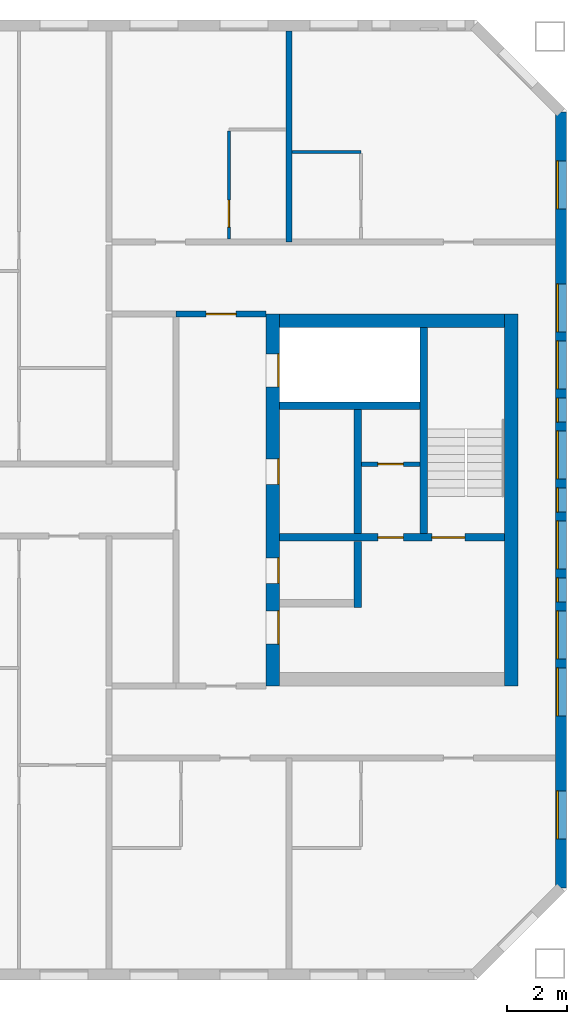
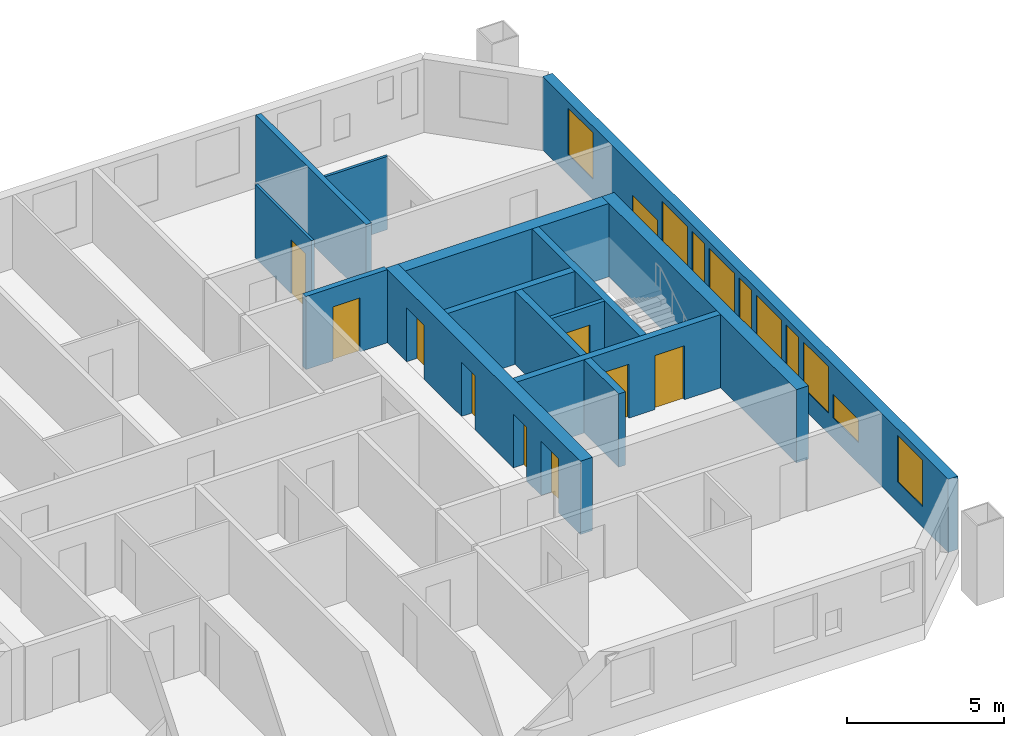
# One storey, part 13 of 16: 14 walls, 11 windows, 9 doors, 20 openings.
"""IFC4 building model written with IfcOpenShell, lengths in metres."""

from ifc_helpers import new_model, si_unit, direction, frame, frame_2d, origin, place, context, subcontext, project, spatial, rectangle, extrude, material, layer, layer_set, type_object, element, fill, save


model = new_model("IFC4")

# Units and contexts
model_context = context("Model", 3, precision=1e-05, world=origin(), true_north=direction((0.0, 1.0)))
body_context = subcontext(model_context, "Body", "Model", "MODEL_VIEW")
ifc_project = project(units=[si_unit("LENGTHUNIT", "METRE"), si_unit("AREAUNIT", "SQUARE_METRE"), si_unit("VOLUMEUNIT", "CUBIC_METRE"), si_unit("PLANEANGLEUNIT", "RADIAN"), si_unit("MASSUNIT", "GRAM", prefix="KILO")], contexts=[model_context])

# Site, building, storey
site_placement = place(None, origin())
site = spatial("IfcSite", under=ifc_project, at=site_placement, CompositionType="ELEMENT")
building_placement = place(site_placement, origin())
building = spatial("IfcBuilding", under=site, at=building_placement, Name="Tuart Gate Housing", CompositionType="ELEMENT")
storey_placement = place(building_placement, frame((0.0, 0.0, 175.800048828125)))
storey = spatial("IfcBuildingStorey", under=building, at=storey_placement, Name="L49", CompositionType="ELEMENT", Elevation=175.800048828125)

# Wall, openings, windows
ifc_material_1 = material(Name="Brick", Category="masonry")
ifc_layer_1 = layer(ifc_material_1, 0.360107421875)
ifc_layer_set_1 = layer_set([ifc_layer_1], Name="Brick pier and spandrel wall 360")
wall_type_1 = type_object("IfcWallType", Name="Brick pier and spandrel wall 360", PredefinedType="STANDARD", material=ifc_layer_set_1)
wall_1_placement = place(storey_placement, frame((170.070068359375, 57.07470703125, 0.0), z_axis=(0.0, 0.0, 1.0), x_axis=(0.0, 1.0, 0.0)))
wall_1 = element("IfcWall", 1, at=wall_1_placement, inside=storey, type_object=wall_type_1, Name="External wall B-E L49", PredefinedType="STANDARD", context=body_context, shape_type="SweptSolid", body=[
    extrude(rectangle(XDim=25.850830078125, YDim=0.360107421875, at=frame_2d((12.92529296875, 0.0))), origin(), (0.0, 0.0, 1.0), 2.849853515625),
])
opening_1_placement = place(wall_1_placement, frame((1.62548828125, 0.0, 0.800048828125)))
opening_1 = element("IfcOpeningElement", 2, at=opening_1_placement, cuts=wall_1, Name="Opening W1", PredefinedType="OPENING", context=body_context, shape_type="SweptSolid", body=[
    extrude(rectangle(XDim=1.60009765625, YDim=1.800048828125, at=frame_2d((0.800048828125, 0.89990234375))), frame((0.0, 0.18994140625, 0.0), z_axis=(0.0, -1.0, 0.0), x_axis=(1.0, 0.0, 0.0)), (0.0, 0.0, 1.0), 0.380126953125),
])
opening_2_placement = place(wall_1_placement, frame((5.725341796875, 0.0, 0.800048828125)))
opening_2 = element("IfcOpeningElement", 3, at=opening_2_placement, cuts=wall_1, Name="Opening W1R", PredefinedType="OPENING", context=body_context, shape_type="SweptSolid", body=[
    extrude(rectangle(XDim=1.60009765625, YDim=0.89990234375, at=frame_2d((0.800048828125, 0.449951171875))), frame((0.0, 0.18994140625, 0.0), z_axis=(0.0, -1.0, 0.0), x_axis=(1.0, 0.0, 0.0)), (0.0, 0.0, 1.0), 0.380126953125),
])
opening_3_placement = place(wall_1_placement, frame((7.62548828125, 0.0, 0.800048828125)))
opening_3 = element("IfcOpeningElement", 4, at=opening_3_placement, cuts=wall_1, Name="Opening W1", PredefinedType="OPENING", context=body_context, shape_type="SweptSolid", body=[
    extrude(rectangle(XDim=1.60009765625, YDim=1.800048828125, at=frame_2d((0.800048828125, 0.89990234375))), frame((0.0, 0.18994140625, 0.0), z_axis=(0.0, -1.0, 0.0), x_axis=(1.0, 0.0, 0.0)), (0.0, 0.0, 1.0), 0.380126953125),
])
opening_4_placement = place(wall_1_placement, frame((10.62548828125, 0.0, 0.800048828125)))
opening_4 = element("IfcOpeningElement", 5, at=opening_4_placement, cuts=wall_1, Name="Opening W1", PredefinedType="OPENING", context=body_context, shape_type="SweptSolid", body=[
    extrude(rectangle(XDim=1.60009765625, YDim=1.800048828125, at=frame_2d((0.800048828125, 0.89990234375))), frame((0.0, 0.18994140625, 0.0), z_axis=(0.0, -1.0, 0.0), x_axis=(1.0, 0.0, 0.0)), (0.0, 0.0, 1.0), 0.380126953125),
])
opening_5_placement = place(wall_1_placement, frame((13.62548828125, 0.0, 0.800048828125)))
opening_5 = element("IfcOpeningElement", 6, at=opening_5_placement, cuts=wall_1, Name="Opening W1", PredefinedType="OPENING", context=body_context, shape_type="SweptSolid", body=[
    extrude(rectangle(XDim=1.60009765625, YDim=1.800048828125, at=frame_2d((0.800048828125, 0.89990234375))), frame((0.0, 0.18994140625, 0.0), z_axis=(0.0, -1.0, 0.0), x_axis=(1.0, 0.0, 0.0)), (0.0, 0.0, 1.0), 0.380126953125),
])
opening_6_placement = place(wall_1_placement, frame((16.62548828125, 0.0, 0.800048828125)))
opening_6 = element("IfcOpeningElement", 7, at=opening_6_placement, cuts=wall_1, Name="Opening W1", PredefinedType="OPENING", context=body_context, shape_type="SweptSolid", body=[
    extrude(rectangle(XDim=1.60009765625, YDim=1.800048828125, at=frame_2d((0.800048828125, 0.89990234375))), frame((0.0, 0.18994140625, 0.0), z_axis=(0.0, -1.0, 0.0), x_axis=(1.0, 0.0, 0.0)), (0.0, 0.0, 1.0), 0.380126953125),
])
opening_7_placement = place(wall_1_placement, frame((9.525390625, 0.0, 0.800048828125)))
opening_7 = element("IfcOpeningElement", 8, at=opening_7_placement, cuts=wall_1, Name="Opening W1D", PredefinedType="OPENING", context=body_context, shape_type="SweptSolid", body=[
    extrude(rectangle(XDim=0.800048828125, YDim=1.800048828125, at=frame_2d((0.39990234375, 0.89990234375))), frame((0.0, 0.18994140625, 0.0), z_axis=(0.0, -1.0, 0.0), x_axis=(1.0, 0.0, 0.0)), (0.0, 0.0, 1.0), 0.380126953125),
])
opening_8_placement = place(wall_1_placement, frame((22.62548828125, 0.0, 0.800048828125)))
opening_8 = element("IfcOpeningElement", 9, at=opening_8_placement, cuts=wall_1, Name="Opening W1", PredefinedType="OPENING", context=body_context, shape_type="SweptSolid", body=[
    extrude(rectangle(XDim=1.60009765625, YDim=1.800048828125, at=frame_2d((0.800048828125, 0.89990234375))), frame((0.0, 0.18994140625, 0.0), z_axis=(0.0, -1.0, 0.0), x_axis=(1.0, 0.0, 0.0)), (0.0, 0.0, 1.0), 0.380126953125),
])
opening_9_placement = place(wall_1_placement, frame((12.525390625, 0.0, 0.800048828125)))
opening_9 = element("IfcOpeningElement", 10, at=opening_9_placement, cuts=wall_1, Name="Opening W1D", PredefinedType="OPENING", context=body_context, shape_type="SweptSolid", body=[
    extrude(rectangle(XDim=0.800048828125, YDim=1.800048828125, at=frame_2d((0.39990234375, 0.89990234375))), frame((0.0, 0.18994140625, 0.0), z_axis=(0.0, -1.0, 0.0), x_axis=(1.0, 0.0, 0.0)), (0.0, 0.0, 1.0), 0.380126953125),
])
opening_10_placement = place(wall_1_placement, frame((15.525390625, 0.0, 0.800048828125)))
opening_10 = element("IfcOpeningElement", 11, at=opening_10_placement, cuts=wall_1, Name="Opening W1D", PredefinedType="OPENING", context=body_context, shape_type="SweptSolid", body=[
    extrude(rectangle(XDim=0.800048828125, YDim=1.800048828125, at=frame_2d((0.39990234375, 0.89990234375))), frame((0.0, 0.18994140625, 0.0), z_axis=(0.0, -1.0, 0.0), x_axis=(1.0, 0.0, 0.0)), (0.0, 0.0, 1.0), 0.380126953125),
])
opening_11_placement = place(wall_1_placement, frame((18.525390625, 0.0, 0.800048828125)))
opening_11 = element("IfcOpeningElement", 12, at=opening_11_placement, cuts=wall_1, Name="Opening W1R", PredefinedType="OPENING", context=body_context, shape_type="SweptSolid", body=[
    extrude(rectangle(XDim=1.60009765625, YDim=0.89990234375, at=frame_2d((0.800048828125, 0.449951171875))), frame((0.0, 0.18994140625, 0.0), z_axis=(0.0, -1.0, 0.0), x_axis=(1.0, 0.0, 0.0)), (0.0, 0.0, 1.0), 0.380126953125),
])
ifc_material_2 = material(Name="Aluminium frame with clear glass", Category="aluminium")
window_type_1 = type_object("IfcWindowType", Name="Punched window 1600 x 1800", PartitioningType="SINGLE_PANEL", PredefinedType="WINDOW", material=ifc_material_2)
window_1_placement = place(opening_1_placement, origin())
window_1 = element("IfcWindow", 13, at=window_1_placement, inside=storey, type_object=window_type_1, Name="Window W1", OverallHeight=1.800048828125, OverallWidth=1.60009765625, PartitioningType="SINGLE_PANEL", PredefinedType="WINDOW", context=body_context, shape_type="SweptSolid", body=[
    extrude(rectangle(XDim=1.60009765625, YDim=1.800048828125, at=frame_2d((0.800048828125, 0.89990234375))), frame((0.0, 0.150146484375, 0.0), z_axis=(0.0, -1.0, 0.0), x_axis=(1.0, 0.0, 0.0)), (0.0, 0.0, 1.0), 0.06005859375),
])
fill(opening_1, window_1)
window_2_placement = place(opening_3_placement, origin())
window_2 = element("IfcWindow", 14, at=window_2_placement, inside=storey, type_object=window_type_1, Name="Window W1", OverallHeight=1.800048828125, OverallWidth=1.60009765625, PartitioningType="SINGLE_PANEL", PredefinedType="WINDOW", context=body_context, shape_type="SweptSolid", body=[
    extrude(rectangle(XDim=1.60009765625, YDim=1.800048828125, at=frame_2d((0.800048828125, 0.89990234375))), frame((0.0, 0.150146484375, 0.0), z_axis=(0.0, -1.0, 0.0), x_axis=(1.0, 0.0, 0.0)), (0.0, 0.0, 1.0), 0.06005859375),
])
fill(opening_3, window_2)
window_3_placement = place(opening_4_placement, origin())
window_3 = element("IfcWindow", 15, at=window_3_placement, inside=storey, type_object=window_type_1, Name="Window W1", OverallHeight=1.800048828125, OverallWidth=1.60009765625, PartitioningType="SINGLE_PANEL", PredefinedType="WINDOW", context=body_context, shape_type="SweptSolid", body=[
    extrude(rectangle(XDim=1.60009765625, YDim=1.800048828125, at=frame_2d((0.800048828125, 0.89990234375))), frame((0.0, 0.150146484375, 0.0), z_axis=(0.0, -1.0, 0.0), x_axis=(1.0, 0.0, 0.0)), (0.0, 0.0, 1.0), 0.06005859375),
])
fill(opening_4, window_3)
window_4_placement = place(opening_5_placement, origin())
window_4 = element("IfcWindow", 16, at=window_4_placement, inside=storey, type_object=window_type_1, Name="Window W1", OverallHeight=1.800048828125, OverallWidth=1.60009765625, PartitioningType="SINGLE_PANEL", PredefinedType="WINDOW", context=body_context, shape_type="SweptSolid", body=[
    extrude(rectangle(XDim=1.60009765625, YDim=1.800048828125, at=frame_2d((0.800048828125, 0.89990234375))), frame((0.0, 0.150146484375, 0.0), z_axis=(0.0, -1.0, 0.0), x_axis=(1.0, 0.0, 0.0)), (0.0, 0.0, 1.0), 0.06005859375),
])
fill(opening_5, window_4)
window_5_placement = place(opening_6_placement, origin())
window_5 = element("IfcWindow", 17, at=window_5_placement, inside=storey, type_object=window_type_1, Name="Window W1", OverallHeight=1.800048828125, OverallWidth=1.60009765625, PartitioningType="SINGLE_PANEL", PredefinedType="WINDOW", context=body_context, shape_type="SweptSolid", body=[
    extrude(rectangle(XDim=1.60009765625, YDim=1.800048828125, at=frame_2d((0.800048828125, 0.89990234375))), frame((0.0, 0.150146484375, 0.0), z_axis=(0.0, -1.0, 0.0), x_axis=(1.0, 0.0, 0.0)), (0.0, 0.0, 1.0), 0.06005859375),
])
fill(opening_6, window_5)
window_6_placement = place(opening_8_placement, origin())
window_6 = element("IfcWindow", 18, at=window_6_placement, inside=storey, type_object=window_type_1, Name="Window W1", OverallHeight=1.800048828125, OverallWidth=1.60009765625, PartitioningType="SINGLE_PANEL", PredefinedType="WINDOW", context=body_context, shape_type="SweptSolid", body=[
    extrude(rectangle(XDim=1.60009765625, YDim=1.800048828125, at=frame_2d((0.800048828125, 0.89990234375))), frame((0.0, 0.150146484375, 0.0), z_axis=(0.0, -1.0, 0.0), x_axis=(1.0, 0.0, 0.0)), (0.0, 0.0, 1.0), 0.06005859375),
])
fill(opening_8, window_6)
ifc_material_3 = material(Name="Aluminium frame with clear glass", Category="aluminium")
window_type_2 = type_object("IfcWindowType", Name="Punched window 1600 x 900", PartitioningType="SINGLE_PANEL", PredefinedType="WINDOW", material=ifc_material_3)
window_7_placement = place(opening_2_placement, origin())
window_7 = element("IfcWindow", 19, at=window_7_placement, inside=storey, type_object=window_type_2, Name="Window W1R", OverallHeight=0.89990234375, OverallWidth=1.60009765625, PartitioningType="SINGLE_PANEL", PredefinedType="WINDOW", context=body_context, shape_type="SweptSolid", body=[
    extrude(rectangle(XDim=1.60009765625, YDim=0.89990234375, at=frame_2d((0.800048828125, 0.449951171875))), frame((0.0, 0.150146484375, 0.0), z_axis=(0.0, -1.0, 0.0), x_axis=(1.0, 0.0, 0.0)), (0.0, 0.0, 1.0), 0.06005859375),
])
fill(opening_2, window_7)
window_8_placement = place(opening_11_placement, origin())
window_8 = element("IfcWindow", 20, at=window_8_placement, inside=storey, type_object=window_type_2, Name="Window W1R", OverallHeight=0.89990234375, OverallWidth=1.60009765625, PartitioningType="SINGLE_PANEL", PredefinedType="WINDOW", context=body_context, shape_type="SweptSolid", body=[
    extrude(rectangle(XDim=1.60009765625, YDim=0.89990234375, at=frame_2d((0.800048828125, 0.449951171875))), frame((0.0, 0.150146484375, 0.0), z_axis=(0.0, -1.0, 0.0), x_axis=(1.0, 0.0, 0.0)), (0.0, 0.0, 1.0), 0.06005859375),
])
fill(opening_11, window_8)
ifc_material_4 = material(Name="Aluminium frame with clear glass", Category="aluminium")
window_type_3 = type_object("IfcWindowType", Name="Punched window 800 x 1800", PartitioningType="SINGLE_PANEL", PredefinedType="WINDOW", material=ifc_material_4)
window_9_placement = place(opening_7_placement, origin())
window_9 = element("IfcWindow", 21, at=window_9_placement, inside=storey, type_object=window_type_3, Name="Window W1D", OverallHeight=1.800048828125, OverallWidth=0.800048828125, PartitioningType="SINGLE_PANEL", PredefinedType="WINDOW", context=body_context, shape_type="SweptSolid", body=[
    extrude(rectangle(XDim=0.800048828125, YDim=1.800048828125, at=frame_2d((0.39990234375, 0.89990234375))), frame((0.0, 0.150146484375, 0.0), z_axis=(0.0, -1.0, 0.0), x_axis=(1.0, 0.0, 0.0)), (0.0, 0.0, 1.0), 0.06005859375),
])
fill(opening_7, window_9)
window_10_placement = place(opening_9_placement, origin())
window_10 = element("IfcWindow", 22, at=window_10_placement, inside=storey, type_object=window_type_3, Name="Window W1D", OverallHeight=1.800048828125, OverallWidth=0.800048828125, PartitioningType="SINGLE_PANEL", PredefinedType="WINDOW", context=body_context, shape_type="SweptSolid", body=[
    extrude(rectangle(XDim=0.800048828125, YDim=1.800048828125, at=frame_2d((0.39990234375, 0.89990234375))), frame((0.0, 0.150146484375, 0.0), z_axis=(0.0, -1.0, 0.0), x_axis=(1.0, 0.0, 0.0)), (0.0, 0.0, 1.0), 0.06005859375),
])
fill(opening_9, window_10)
window_11_placement = place(opening_10_placement, origin())
window_11 = element("IfcWindow", 23, at=window_11_placement, inside=storey, type_object=window_type_3, Name="Window W1D", OverallHeight=1.800048828125, OverallWidth=0.800048828125, PartitioningType="SINGLE_PANEL", PredefinedType="WINDOW", context=body_context, shape_type="SweptSolid", body=[
    extrude(rectangle(XDim=0.800048828125, YDim=1.800048828125, at=frame_2d((0.39990234375, 0.89990234375))), frame((0.0, 0.150146484375, 0.0), z_axis=(0.0, -1.0, 0.0), x_axis=(1.0, 0.0, 0.0)), (0.0, 0.0, 1.0), 0.06005859375),
])
fill(opening_10, window_11)

# Wall, opening, door
ifc_material_5 = material(Name="Plasterboard partition")
ifc_layer_2 = layer(ifc_material_5, 0.14990234375)
ifc_layer_set_2 = layer_set([ifc_layer_2], Name="Core partition 150")
wall_type_2 = type_object("IfcWallType", Name="Core partition 150", PredefinedType="PARTITIONING", material=ifc_layer_set_2)
wall_2_placement = place(storey_placement, frame((163.4150390625, 71.199951171875, 0.0), z_axis=(0.0, 0.0, 1.0), x_axis=(1.0, 0.0, 0.0)))
wall_2 = element("IfcWall", 24, at=wall_2_placement, inside=storey, type_object=wall_type_2, Name="Core partition BK.2", PredefinedType="PARTITIONING", context=body_context, shape_type="SweptSolid", body=[
    extrude(rectangle(XDim=1.949951171875, YDim=0.14990234375, at=frame_2d((0.97509765625, 0.0))), origin(), (0.0, 0.0, 1.0), 2.849853515625),
])
opening_12_placement = place(wall_2_placement, frame((0.550048828125, 0.0, 0.0)))
opening_12 = element("IfcOpeningElement", 25, at=opening_12_placement, cuts=wall_2, Name="Opening D1812", PredefinedType="OPENING", context=body_context, shape_type="SweptSolid", body=[
    extrude(rectangle(XDim=0.85009765625, YDim=2.10009765625, at=frame_2d((0.425048828125, 1.050048828125))), frame((0.0, 0.0849609375, 0.0), z_axis=(0.0, -1.0, 0.0), x_axis=(1.0, 0.0, 0.0)), (0.0, 0.0, 1.0), 0.169921875),
])
ifc_material_6 = material(Name="Steel fire door", Category="steel")
door_type_1 = type_object("IfcDoorType", Name="Service door 850 x 2100 RH", OperationType="SINGLE_SWING_RIGHT", PredefinedType="DOOR", material=ifc_material_6)
door_1_placement = place(opening_12_placement, frame((0.85009765625, 0.0, 0.0), z_axis=(0.0, 0.0, 1.0), x_axis=(-1.0, 0.0, 0.0)))
door_1 = element("IfcDoor", 26, at=door_1_placement, inside=storey, type_object=door_type_1, Name="Service room door BK.W2", OperationType="SINGLE_SWING_RIGHT", OverallHeight=2.10009765625, OverallWidth=0.85009765625, PredefinedType="DOOR", context=body_context, shape_type="SweptSolid", body=[
    extrude(rectangle(XDim=0.85009765625, YDim=2.10009765625, at=frame_2d((0.425048828125, 1.050048828125))), frame((0.0, 0.025146484375, 0.0), z_axis=(0.0, -1.0, 0.0), x_axis=(1.0, 0.0, 0.0)), (0.0, 0.0, 1.0), 0.050048828125),
])
fill(opening_12, door_1)

# Wall
ifc_material_7 = material(Name="Concrete C40", Category="concrete")
ifc_layer_3 = layer(ifc_material_7, 0.25)
ifc_layer_set_3 = layer_set([ifc_layer_3], Name="Core wall 250 C40")
wall_type_3 = type_object("IfcWallType", Name="Core wall 250 C40", PredefinedType="SHEAR", material=ifc_layer_set_3)
wall_3_placement = place(storey_placement, frame((160.68994140625, 73.14990234375, 0.0), z_axis=(0.0, 0.0, 1.0), x_axis=(1.0, 0.0, 0.0)))
element("IfcWall", 27, at=wall_3_placement, inside=storey, type_object=wall_type_3, Name="Core wall BK.1", PredefinedType="SHEAR", context=body_context, shape_type="SweptSolid", body=[
    extrude(rectangle(XDim=4.675048828125, YDim=0.25, at=frame_2d((2.33740234375, 0.0))), origin(), (0.0, 0.0, 1.0), 2.849853515625),
])

# Wall, openings, doors
wall_4_placement = place(storey_placement, frame((160.68994140625, 68.75, 0.0), z_axis=(0.0, 0.0, 1.0), x_axis=(1.0, 0.0, 0.0)))
wall_4 = element("IfcWall", 28, at=wall_4_placement, inside=storey, type_object=wall_type_3, Name="Core wall BK.3", PredefinedType="SHEAR", context=body_context, shape_type="SweptSolid", body=[
    extrude(rectangle(XDim=7.5, YDim=0.25, at=frame_2d((3.75, 0.0))), origin(), (0.0, 0.0, 1.0), 2.849853515625),
])
opening_13_placement = place(wall_4_placement, frame((5.074951171875, 0.0, 0.0)))
opening_13 = element("IfcOpeningElement", 29, at=opening_13_placement, cuts=wall_4, Name="Opening D1823", PredefinedType="OPENING", context=body_context, shape_type="SweptSolid", body=[
    extrude(rectangle(XDim=1.10009765625, YDim=2.10009765625, at=frame_2d((0.550048828125, 1.050048828125))), frame((0.0, 0.135009765625, 0.0), z_axis=(0.0, -1.0, 0.0), x_axis=(1.0, 0.0, 0.0)), (0.0, 0.0, 1.0), 0.27001953125),
])
opening_14_placement = place(wall_4_placement, frame((3.27490234375, 0.0, 0.0)))
opening_14 = element("IfcOpeningElement", 30, at=opening_14_placement, cuts=wall_4, Name="Opening D1822", PredefinedType="OPENING", context=body_context, shape_type="SweptSolid", body=[
    extrude(rectangle(XDim=0.85009765625, YDim=2.10009765625, at=frame_2d((0.425048828125, 1.050048828125))), frame((0.0, 0.135009765625, 0.0), z_axis=(0.0, -1.0, 0.0), x_axis=(1.0, 0.0, 0.0)), (0.0, 0.0, 1.0), 0.27001953125),
])
ifc_material_8 = material(Name="Steel fire door", Category="steel")
door_type_2 = type_object("IfcDoorType", Name="Riser door 850 x 2100", OperationType="SINGLE_SWING_LEFT", PredefinedType="DOOR", material=ifc_material_8)
door_2_placement = place(opening_14_placement, origin())
door_2 = element("IfcDoor", 31, at=door_2_placement, inside=storey, type_object=door_type_2, Name="Service room door BK.W1", OperationType="SINGLE_SWING_LEFT", OverallHeight=2.10009765625, OverallWidth=0.85009765625, PredefinedType="DOOR", context=body_context, shape_type="SweptSolid", body=[
    extrude(rectangle(XDim=0.85009765625, YDim=2.10009765625, at=frame_2d((0.425048828125, 1.050048828125))), frame((0.0, 0.02490234375, 0.0), z_axis=(0.0, -1.0, 0.0), x_axis=(1.0, 0.0, 0.0)), (0.0, 0.0, 1.0), 0.050048828125),
])
fill(opening_14, door_2)
ifc_material_9 = material(Name="Steel fire door", Category="steel")
door_type_3 = type_object("IfcDoorType", Name="Stair door 1100 x 2100", OperationType="SINGLE_SWING_LEFT", PredefinedType="DOOR", material=ifc_material_9)
door_3_placement = place(opening_13_placement, origin())
door_3 = element("IfcDoor", 32, at=door_3_placement, inside=storey, type_object=door_type_3, Name="Stair door BK.SD", OperationType="SINGLE_SWING_LEFT", OverallHeight=2.10009765625, OverallWidth=1.10009765625, PredefinedType="DOOR", context=body_context, shape_type="SweptSolid", body=[
    extrude(rectangle(XDim=1.10009765625, YDim=2.10009765625, at=frame_2d((0.550048828125, 1.050048828125))), frame((0.0, 0.02490234375, 0.0), z_axis=(0.0, -1.0, 0.0), x_axis=(1.0, 0.0, 0.0)), (0.0, 0.0, 1.0), 0.050048828125),
])
fill(opening_13, door_3)

# Walls
wall_5_placement = place(storey_placement, frame((163.2900390625, 73.02490234375, 0.0), z_axis=(0.0, 0.0, 1.0), x_axis=(0.0, -1.0, 0.0)))
element("IfcWall", 33, at=wall_5_placement, inside=storey, type_object=wall_type_3, Name="Core wall BK.5", PredefinedType="SHEAR", context=body_context, shape_type="SweptSolid", body=[
    extrude(rectangle(XDim=4.14990234375, YDim=0.25, at=frame_2d((2.074951171875, 0.0))), origin(), (0.0, 0.0, 1.0), 2.849853515625),
])
wall_6_placement = place(storey_placement, frame((163.2900390625, 68.625, 0.0), z_axis=(0.0, 0.0, 1.0), x_axis=(0.0, -1.0, 0.0)))
element("IfcWall", 34, at=wall_6_placement, inside=storey, type_object=wall_type_3, Name="Core wall BK.6", PredefinedType="SHEAR", context=body_context, shape_type="SweptSolid", body=[
    extrude(rectangle(XDim=2.199951171875, YDim=0.25, at=frame_2d((1.10009765625, 0.0))), origin(), (0.0, 0.0, 1.0), 2.849853515625),
])
wall_7_placement = place(storey_placement, frame((165.489990234375, 75.75, 0.0), z_axis=(0.0, 0.0, 1.0), x_axis=(0.0, -1.0, 0.0)))
element("IfcWall", 35, at=wall_7_placement, inside=storey, type_object=wall_type_3, Name="Core wall BK.7", PredefinedType="SHEAR", context=body_context, shape_type="SweptSolid", body=[
    extrude(rectangle(XDim=6.875, YDim=0.25, at=frame_2d((3.4375, 0.0))), origin(), (0.0, 0.0, 1.0), 2.849853515625),
])

# Wall, openings, doors
ifc_material_10 = material(Name="Concrete C40", Category="concrete")
ifc_layer_4 = layer(ifc_material_10, 0.449951171875)
ifc_layer_set_4 = layer_set([ifc_layer_4], Name="Core wall 450 C40")
wall_type_4 = type_object("IfcWallType", Name="Core wall 450 C40", PredefinedType="SHEAR", material=ifc_layer_set_4)
wall_8_placement = place(storey_placement, frame((160.465087890625, 76.199951171875, 0.0), z_axis=(0.0, 0.0, 1.0), x_axis=(0.0, -1.0, 0.0)))
wall_8 = element("IfcWall", 36, at=wall_8_placement, inside=storey, type_object=wall_type_4, Name="Core wall BK front", PredefinedType="SHEAR", context=body_context, shape_type="SweptSolid", body=[
    extrude(rectangle(XDim=12.39990234375, YDim=0.449951171875, at=frame_2d((6.199951171875, 0.0))), origin(), (0.0, 0.0, 1.0), 2.849853515625),
])
opening_15_placement = place(wall_8_placement, frame((1.324951171875, 0.0, 0.0)))
opening_15 = element("IfcOpeningElement", 37, at=opening_15_placement, cuts=wall_8, Name="Opening LD-FB2", PredefinedType="OPENING", context=body_context, shape_type="SweptSolid", body=[
    extrude(rectangle(XDim=1.10009765625, YDim=2.10009765625, at=frame_2d((0.550048828125, 1.050048828125))), frame((0.0, 0.23486328125, 0.0), z_axis=(0.0, -1.0, 0.0), x_axis=(1.0, 0.0, 0.0)), (0.0, 0.0, 1.0), 0.469970703125),
])
opening_16_placement = place(wall_8_placement, frame((4.824951171875, 0.0, 0.0)))
opening_16 = element("IfcOpeningElement", 38, at=opening_16_placement, cuts=wall_8, Name="Opening D1818", PredefinedType="OPENING", context=body_context, shape_type="SweptSolid", body=[
    extrude(rectangle(XDim=0.85009765625, YDim=2.10009765625, at=frame_2d((0.425048828125, 1.050048828125))), frame((0.0, 0.23486328125, 0.0), z_axis=(0.0, -1.0, 0.0), x_axis=(1.0, 0.0, 0.0)), (0.0, 0.0, 1.0), 0.469970703125),
])
opening_17_placement = place(wall_8_placement, frame((9.89990234375, 0.0, 0.0)))
opening_17 = element("IfcOpeningElement", 39, at=opening_17_placement, cuts=wall_8, Name="Opening D1817", PredefinedType="OPENING", context=body_context, shape_type="SweptSolid", body=[
    extrude(rectangle(XDim=1.10009765625, YDim=2.10009765625, at=frame_2d((0.550048828125, 1.050048828125))), frame((0.0, 0.23486328125, 0.0), z_axis=(0.0, -1.0, 0.0), x_axis=(1.0, 0.0, 0.0)), (0.0, 0.0, 1.0), 0.469970703125),
])
opening_18_placement = place(wall_8_placement, frame((8.125, 0.0, 0.0)))
opening_18 = element("IfcOpeningElement", 40, at=opening_18_placement, cuts=wall_8, Name="Opening D1819", PredefinedType="OPENING", context=body_context, shape_type="SweptSolid", body=[
    extrude(rectangle(XDim=0.85009765625, YDim=2.10009765625, at=frame_2d((0.425048828125, 1.050048828125))), frame((0.0, 0.23486328125, 0.0), z_axis=(0.0, -1.0, 0.0), x_axis=(1.0, 0.0, 0.0)), (0.0, 0.0, 1.0), 0.469970703125),
])
ifc_material_11 = material(Name="Stainless steel", Category="steel")
door_type_4 = type_object("IfcDoorType", Name="Landing door 1100 x 2100", OperationType="DOUBLE_DOOR_SLIDING", PredefinedType="DOOR", material=ifc_material_11)
door_4_placement = place(opening_15_placement, origin())
door_4 = element("IfcDoor", 41, at=door_4_placement, inside=storey, type_object=door_type_4, Name="Lift landing door FB2", OperationType="DOUBLE_DOOR_SLIDING", OverallHeight=2.10009765625, OverallWidth=1.10009765625, PredefinedType="DOOR", context=body_context, shape_type="SweptSolid", body=[
    extrude(rectangle(XDim=1.10009765625, YDim=2.10009765625, at=frame_2d((0.550048828125, 1.050048828125))), frame((0.0, 0.2099609375, 0.0), z_axis=(0.0, -1.0, 0.0), x_axis=(1.0, 0.0, 0.0)), (0.0, 0.0, 1.0), 0.050048828125),
])
fill(opening_15, door_4)
ifc_material_12 = material(Name="Steel fire door", Category="steel")
door_type_5 = type_object("IfcDoorType", Name="Lobby door 1100 x 2100", OperationType="SINGLE_SWING_LEFT", PredefinedType="DOOR", material=ifc_material_12)
door_5_placement = place(opening_17_placement, origin())
door_5 = element("IfcDoor", 42, at=door_5_placement, inside=storey, type_object=door_type_5, Name="Lobby entry door BK.EN", OperationType="SINGLE_SWING_LEFT", OverallHeight=2.10009765625, OverallWidth=1.10009765625, PredefinedType="DOOR", context=body_context, shape_type="SweptSolid", body=[
    extrude(rectangle(XDim=1.10009765625, YDim=2.10009765625, at=frame_2d((0.550048828125, 1.050048828125))), frame((0.0, 0.2099609375, 0.0), z_axis=(0.0, -1.0, 0.0), x_axis=(1.0, 0.0, 0.0)), (0.0, 0.0, 1.0), 0.050048828125),
])
fill(opening_17, door_5)
ifc_material_13 = material(Name="Steel fire door", Category="steel")
door_type_6 = type_object("IfcDoorType", Name="Service door 850 x 2100", OperationType="SINGLE_SWING_LEFT", PredefinedType="DOOR", material=ifc_material_13)
door_6_placement = place(opening_16_placement, origin())
door_6 = element("IfcDoor", 43, at=door_6_placement, inside=storey, type_object=door_type_6, Name="Service room door BK.FR1", OperationType="SINGLE_SWING_LEFT", OverallHeight=2.10009765625, OverallWidth=0.85009765625, PredefinedType="DOOR", context=body_context, shape_type="SweptSolid", body=[
    extrude(rectangle(XDim=0.85009765625, YDim=2.10009765625, at=frame_2d((0.425048828125, 1.050048828125))), frame((0.0, 0.2099609375, 0.0), z_axis=(0.0, -1.0, 0.0), x_axis=(1.0, 0.0, 0.0)), (0.0, 0.0, 1.0), 0.050048828125),
])
fill(opening_16, door_6)
door_7_placement = place(opening_18_placement, origin())
door_7 = element("IfcDoor", 44, at=door_7_placement, inside=storey, type_object=door_type_6, Name="Service room door BK.T1", OperationType="SINGLE_SWING_LEFT", OverallHeight=2.10009765625, OverallWidth=0.85009765625, PredefinedType="DOOR", context=body_context, shape_type="SweptSolid", body=[
    extrude(rectangle(XDim=0.85009765625, YDim=2.10009765625, at=frame_2d((0.425048828125, 1.050048828125))), frame((0.0, 0.2099609375, 0.0), z_axis=(0.0, -1.0, 0.0), x_axis=(1.0, 0.0, 0.0)), (0.0, 0.0, 1.0), 0.050048828125),
])
fill(opening_18, door_7)

# Walls
wall_9_placement = place(storey_placement, frame((168.4150390625, 76.199951171875, 0.0), z_axis=(0.0, 0.0, 1.0), x_axis=(0.0, -1.0, 0.0)))
element("IfcWall", 45, at=wall_9_placement, inside=storey, type_object=wall_type_4, Name="Core wall BK back", PredefinedType="SHEAR", context=body_context, shape_type="SweptSolid", body=[
    extrude(rectangle(XDim=12.39990234375, YDim=0.449951171875, at=frame_2d((6.199951171875, 0.0))), origin(), (0.0, 0.0, 1.0), 2.849853515625),
])
wall_10_placement = place(storey_placement, frame((160.68994140625, 75.97509765625, 0.0), z_axis=(0.0, 0.0, 1.0), x_axis=(1.0, 0.0, 0.0)))
element("IfcWall", 46, at=wall_10_placement, inside=storey, type_object=wall_type_4, Name="Core wall BK south", PredefinedType="SHEAR", context=body_context, shape_type="SweptSolid", body=[
    extrude(rectangle(XDim=7.5, YDim=0.449951171875, at=frame_2d((3.75, 0.0))), origin(), (0.0, 0.0, 1.0), 2.849853515625),
])

# Wall, opening, door
ifc_material_14 = material(Name="Concrete masonry 15 MPa", Category="masonry")
ifc_layer_5 = layer(ifc_material_14, 0.199951171875)
ifc_layer_set_5 = layer_set([ifc_layer_5], Name="Enclosure wall masonry 200")
wall_type_5 = type_object("IfcWallType", Name="Enclosure wall masonry 200", PredefinedType="PARTITIONING", material=ifc_layer_set_5)
wall_11_placement = place(storey_placement, frame((157.239990234375, 76.199951171875, 0.0), z_axis=(0.0, 0.0, 1.0), x_axis=(1.0, 0.0, 0.0)))
wall_11 = element("IfcWall", 47, at=wall_11_placement, inside=storey, type_object=wall_type_5, Name="Enclosure wall masonry 200", PredefinedType="PARTITIONING", context=body_context, shape_type="SweptSolid", body=[
    extrude(rectangle(XDim=3.0, YDim=0.199951171875, at=frame_2d((1.5, 0.0))), origin(), (0.0, 0.0, 1.0), 2.849853515625),
])
opening_19_placement = place(wall_11_placement, frame((1.0, 0.0, 0.0)))
opening_19 = element("IfcOpeningElement", 48, at=opening_19_placement, cuts=wall_11, Name="Opening D1806", PredefinedType="OPENING", context=body_context, shape_type="SweptSolid", body=[
    extrude(rectangle(XDim=1.0, YDim=2.10009765625, at=frame_2d((0.5, 1.050048828125))), frame((0.0, 0.10986328125, 0.0), z_axis=(0.0, -1.0, 0.0), x_axis=(1.0, 0.0, 0.0)), (0.0, 0.0, 1.0), 0.219970703125),
])
ifc_material_15 = material(Name="Timber door leaf in steel frame", Category="steel")
door_type_7 = type_object("IfcDoorType", Name="Fire door 1000", OperationType="SINGLE_SWING_LEFT", PredefinedType="DOOR", material=ifc_material_15)
door_8_placement = place(opening_19_placement, origin())
door_8 = element("IfcDoor", 49, at=door_8_placement, inside=storey, type_object=door_type_7, Name="Fire door", OperationType="SINGLE_SWING_LEFT", OverallHeight=2.10009765625, OverallWidth=1.0, PredefinedType="DOOR", context=body_context, shape_type="SweptSolid", body=[
    extrude(rectangle(XDim=1.0, YDim=2.10009765625, at=frame_2d((0.5, 1.050048828125))), frame((0.0, 0.02490234375, 0.0), z_axis=(0.0, -1.0, 0.0), x_axis=(1.0, 0.0, 0.0)), (0.0, 0.0, 1.0), 0.050048828125),
])
fill(opening_19, door_8)

# Wall
ifc_material_16 = material(Name="Gypsum board on steel studs", Category="steel")
ifc_layer_6 = layer(ifc_material_16, 0.10009765625)
ifc_layer_set_6 = layer_set([ifc_layer_6], Name="Partition 100")
wall_type_6 = type_object("IfcWallType", Name="Partition 100", PredefinedType="PARTITIONING", material=ifc_layer_set_6)
wall_12_placement = place(storey_placement, frame((161.10009765625, 81.60009765625, 0.0), z_axis=(0.0, 0.0, 1.0), x_axis=(1.0, 0.0, 0.0)))
element("IfcWall", 50, at=wall_12_placement, inside=storey, type_object=wall_type_6, Name="Partition 100", PredefinedType="PARTITIONING", context=body_context, shape_type="SweptSolid", body=[
    extrude(rectangle(XDim=2.2998046875, YDim=0.10009765625, at=frame_2d((1.14990234375, 0.0))), origin(), (0.0, 0.0, 1.0), 2.849853515625),
])

# Wall, opening, door
wall_13_placement = place(storey_placement, frame((159.0, 78.699951171875, 0.0), z_axis=(0.0, 0.0, 1.0), x_axis=(0.0, 1.0, 0.0)))
wall_13 = element("IfcWall", 51, at=wall_13_placement, inside=storey, type_object=wall_type_6, Name="Partition 100", PredefinedType="PARTITIONING", context=body_context, shape_type="SweptSolid", body=[
    extrude(rectangle(XDim=3.60009765625, YDim=0.10009765625, at=frame_2d((1.800048828125, 0.0))), origin(), (0.0, 0.0, 1.0), 2.849853515625),
])
opening_20_placement = place(wall_13_placement, frame((0.39990234375, 0.0, 0.0)))
opening_20 = element("IfcOpeningElement", 52, at=opening_20_placement, cuts=wall_13, Name="Opening D1793", PredefinedType="OPENING", context=body_context, shape_type="SweptSolid", body=[
    extrude(rectangle(XDim=0.89990234375, YDim=2.10009765625, at=frame_2d((0.449951171875, 1.050048828125))), frame((0.0, 0.06005859375, 0.0), z_axis=(0.0, -1.0, 0.0), x_axis=(1.0, 0.0, 0.0)), (0.0, 0.0, 1.0), 0.1201171875),
])
ifc_material_17 = material(Name="Timber door leaf in steel frame", Category="steel")
door_type_8 = type_object("IfcDoorType", Name="Bathroom door 900 RH", OperationType="SINGLE_SWING_RIGHT", PredefinedType="DOOR", material=ifc_material_17)
door_9_placement = place(opening_20_placement, frame((0.89990234375, 0.0, 0.0), z_axis=(0.0, 0.0, 1.0), x_axis=(-1.0, 0.0, 0.0)))
door_9 = element("IfcDoor", 53, at=door_9_placement, inside=storey, type_object=door_type_8, Name="Bathroom door", OperationType="SINGLE_SWING_RIGHT", OverallHeight=2.10009765625, OverallWidth=0.89990234375, PredefinedType="DOOR", context=body_context, shape_type="SweptSolid", body=[
    extrude(rectangle(XDim=0.89990234375, YDim=2.10009765625, at=frame_2d((0.449951171875, 1.050048828125))), frame((0.0, 0.025146484375, 0.0), z_axis=(0.0, -1.0, 0.0), x_axis=(1.0, 0.0, 0.0)), (0.0, 0.0, 1.0), 0.050048828125),
])
fill(opening_20, door_9)

# Wall
ifc_material_18 = material(Name="Concrete C40", Category="concrete")
ifc_layer_7 = layer(ifc_material_18, 0.199951171875)
ifc_layer_set_7 = layer_set([ifc_layer_7], Name="Party wall concrete C40 200")
wall_type_7 = type_object("IfcWallType", Name="Party wall concrete C40 200", PredefinedType="SOLIDWALL", material=ifc_layer_set_7)
wall_14_placement = place(storey_placement, frame((161.0, 78.60009765625, 0.0), z_axis=(0.0, 0.0, 1.0), x_axis=(0.0, 1.0, 0.0)))
element("IfcWall", 54, at=wall_14_placement, inside=storey, type_object=wall_type_7, Name="Party wall concrete C40 200", PredefinedType="SOLIDWALL", context=body_context, shape_type="SweptSolid", body=[
    extrude(rectangle(XDim=7.039794921875, YDim=0.199951171875, at=frame_2d((3.52001953125, 0.0))), origin(), (0.0, 0.0, 1.0), 2.849853515625),
])

save(model, "model.ifc")
